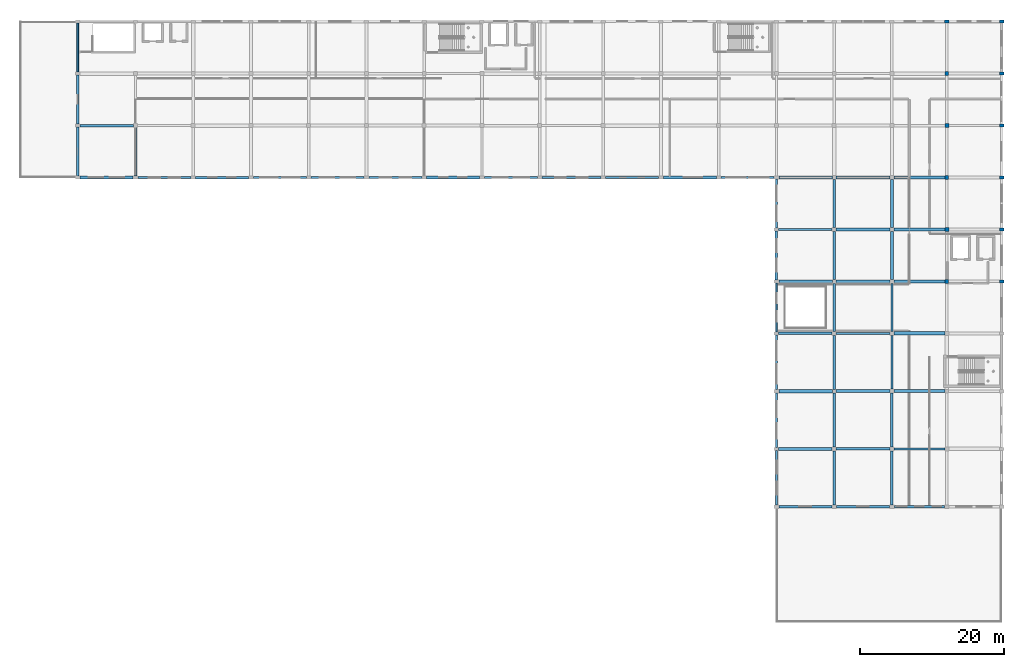
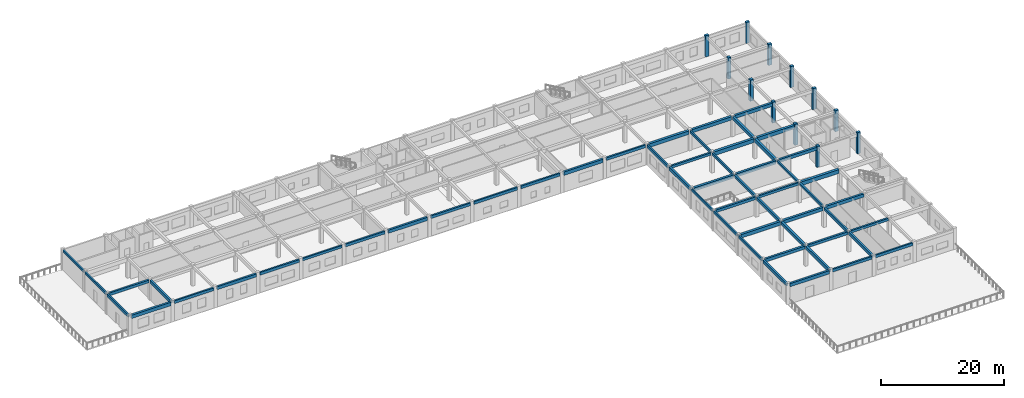
# One storey, part 6 of 19: 56 beams, 12 columns.
"""IFC4 building model written with IfcOpenShell, lengths in metres."""

from ifc_helpers import new_model, si_unit, direction, frame, origin, origin_2d, place, context, subcontext, project, spatial, rectangle, extrude, material, material_profile, profile_set, type_object, element, save


model = new_model("IFC4")

# Units and contexts
model_context = context("Model", 3, precision=1e-05, world=origin(), true_north=direction((0.0, 1.0)))
body_context = subcontext(model_context, "Body", "Model", "MODEL_VIEW")
ifc_project = project(units=[si_unit("LENGTHUNIT", "METRE"), si_unit("AREAUNIT", "SQUARE_METRE"), si_unit("VOLUMEUNIT", "CUBIC_METRE"), si_unit("PLANEANGLEUNIT", "RADIAN"), si_unit("MASSUNIT", "GRAM", prefix="KILO")], contexts=[model_context])

# Site, building, storey
site_placement = place(None, origin())
site = spatial("IfcSite", under=ifc_project, at=site_placement, CompositionType="ELEMENT")
building_placement = place(site_placement, origin())
building = spatial("IfcBuilding", under=site, at=building_placement, Name="Kharva Crest Polytechnic", CompositionType="ELEMENT")
storey_placement = place(building_placement, frame((0.0, 0.0, 21.60009765625)))
storey = spatial("IfcBuildingStorey", under=building, at=storey_placement, Name="L05", CompositionType="ELEMENT", Elevation=21.60009765625)

# Columns
ifc_material_1 = material(Name="Concrete C40/50", Category="concrete")
ifc_material_profile_1 = material_profile(ifc_material_1, rectangle(XDim=0.6201171875, YDim=0.449951171875, at=origin_2d()), Name="RECT 620 X 450")
ifc_profile_set_1 = profile_set([ifc_material_profile_1], Name="Concrete C40/50")
column_type_1 = type_object("IfcColumnType", Name="COL-EXT-620X450", PredefinedType="COLUMN", material=ifc_profile_set_1)
for number, where, z_axis, x_axis, name in (
    (1, (184.0, 93.199951171875, 0.0), (0.0, 0.0, 1.0), (1.0, 0.0, 0.0), "L05 Column 24/N"),
    (2, (184.0, 107.60009765625, 0.0), (0.0, 0.0, 1.0), (1.0, 0.0, 0.0), "L05 Column 24/Q"),
    (3, (184.0, 122.0, 0.0), (0.0, 0.0, 1.0), (1.0, 0.0, 0.0), "L05 Column 24/S"),
):
    element("IfcColumn", number, at=place(storey_placement, frame(where, z_axis=z_axis, x_axis=x_axis)), inside=storey, type_object=column_type_1, Name=name, PredefinedType="COLUMN", context=body_context, shape_type="SweptSolid", body=[
        extrude(rectangle(XDim=0.6201171875, YDim=0.449951171875, at=origin_2d()), origin(), (0.0, 0.0, 1.0), 4.199951171875),
    ])
ifc_material_profile_2 = material_profile(ifc_material_1, rectangle(XDim=0.64990234375, YDim=0.449951171875, at=origin_2d()), Name="RECT 650 X 450")
ifc_profile_set_2 = profile_set([ifc_material_profile_2], Name="Concrete C40/50")
column_type_2 = type_object("IfcColumnType", Name="COL-EXT-650X450", PredefinedType="COLUMN", material=ifc_profile_set_2)
for number, where, z_axis, x_axis, name in (
    (4, (176.39990234375, 122.0, 0.0), (0.0, 0.0, 1.0), (1.0, 0.0, 0.0), "L05 Column 23/S"),
    (5, (184.0, 86.0, 0.0), (0.0, 0.0, 1.0), (1.0, 0.0, 0.0), "L05 Column 24/M"),
    (6, (184.0, 100.39990234375, 0.0), (0.0, 0.0, 1.0), (1.0, 0.0, 0.0), "L05 Column 24/P"),
    (7, (184.0, 114.800048828125, 0.0), (0.0, 0.0, 1.0), (1.0, 0.0, 0.0), "L05 Column 24/R"),
):
    element("IfcColumn", number, at=place(storey_placement, frame(where, z_axis=z_axis, x_axis=x_axis)), inside=storey, type_object=column_type_2, Name=name, PredefinedType="COLUMN", context=body_context, shape_type="SweptSolid", body=[
        extrude(rectangle(XDim=0.64990234375, YDim=0.449951171875, at=origin_2d()), origin(), (0.0, 0.0, 1.0), 4.199951171875),
    ])
ifc_material_profile_3 = material_profile(ifc_material_1, rectangle(XDim=0.52001953125, YDim=0.52001953125, at=origin_2d()), Name="RECT 520 X 520")
ifc_profile_set_3 = profile_set([ifc_material_profile_3], Name="Concrete C40/50")
column_type_3 = type_object("IfcColumnType", Name="COL-INT-520X520", PredefinedType="COLUMN", material=ifc_profile_set_3)
for number, where, z_axis, x_axis, name in (
    (8, (176.39990234375, 86.0, 0.0), (0.0, 0.0, 1.0), (1.0, 0.0, 0.0), "L05 Column 23/M"),
    (9, (176.39990234375, 100.39990234375, 0.0), (0.0, 0.0, 1.0), (1.0, 0.0, 0.0), "L05 Column 23/P"),
    (10, (176.39990234375, 114.800048828125, 0.0), (0.0, 0.0, 1.0), (1.0, 0.0, 0.0), "L05 Column 23/R"),
):
    element("IfcColumn", number, at=place(storey_placement, frame(where, z_axis=z_axis, x_axis=x_axis)), inside=storey, type_object=column_type_3, Name=name, PredefinedType="COLUMN", context=body_context, shape_type="SweptSolid", body=[
        extrude(rectangle(XDim=0.52001953125, YDim=0.52001953125, at=origin_2d()), origin(), (0.0, 0.0, 1.0), 4.199951171875),
    ])
ifc_material_profile_4 = material_profile(ifc_material_1, rectangle(XDim=0.550048828125, YDim=0.550048828125, at=origin_2d()), Name="RECT 550 X 550")
ifc_profile_set_4 = profile_set([ifc_material_profile_4], Name="Concrete C40/50")
column_type_4 = type_object("IfcColumnType", Name="COL-INT-550X550", PredefinedType="COLUMN", material=ifc_profile_set_4)
for number, where, z_axis, x_axis, name in (
    (11, (176.39990234375, 93.199951171875, 0.0), (0.0, 0.0, 1.0), (1.0, 0.0, 0.0), "L05 Column 23/N"),
    (12, (176.39990234375, 107.60009765625, 0.0), (0.0, 0.0, 1.0), (1.0, 0.0, 0.0), "L05 Column 23/Q"),
):
    element("IfcColumn", number, at=place(storey_placement, frame(where, z_axis=z_axis, x_axis=x_axis)), inside=storey, type_object=column_type_4, Name=name, PredefinedType="COLUMN", context=body_context, shape_type="SweptSolid", body=[
        extrude(rectangle(XDim=0.550048828125, YDim=0.550048828125, at=origin_2d()), origin(), (0.0, 0.0, 1.0), 4.199951171875),
    ])

# Beams
ifc_material_2 = material(Name="Concrete C35/45", Category="concrete")
ifc_material_profile_5 = material_profile(ifc_material_2, rectangle(XDim=0.300048828125, YDim=0.449951171875, at=origin_2d()), Name="RECT 300 X 450")
ifc_profile_set_5 = profile_set([ifc_material_profile_5], Name="Concrete C35/45")
beam_type_1 = type_object("IfcBeamType", Name="BM-RC-300X450", PredefinedType="BEAM", material=ifc_profile_set_5)
beam_1_placement = place(storey_placement, frame((160.800048828125, 93.47509765625, 3.7548828125), z_axis=(0.0, 1.0, 0.0), x_axis=(-1.0, 0.0, 0.0)))
element("IfcBeam", 13, at=beam_1_placement, inside=storey, type_object=beam_type_1, Name="L05 Girder 21/N-P", PredefinedType="BEAM", context=body_context, shape_type="SweptSolid", body=[
    extrude(rectangle(XDim=0.300048828125, YDim=0.449951171875, at=origin_2d()), origin(), (0.0, 0.0, 1.0), 6.664794921875),
])
beam_2_placement = place(storey_placement, frame((168.800048828125, 79.06005859375, 3.7548828125), z_axis=(0.0, 1.0, 0.0), x_axis=(-1.0, 0.0, 0.0)))
element("IfcBeam", 14, at=beam_2_placement, inside=storey, type_object=beam_type_1, Name="L05 Girder 22/L-M", PredefinedType="BEAM", context=body_context, shape_type="SweptSolid", body=[
    extrude(rectangle(XDim=0.300048828125, YDim=0.449951171875, at=origin_2d()), origin(), (0.0, 0.0, 1.0), 6.6650390625),
])
ifc_material_profile_6 = material_profile(ifc_material_2, rectangle(XDim=0.300048828125, YDim=0.47998046875, at=origin_2d()), Name="RECT 300 X 480")
ifc_profile_set_6 = profile_set([ifc_material_profile_6], Name="Concrete C35/45")
beam_type_2 = type_object("IfcBeamType", Name="BM-RC-300X480", PredefinedType="BEAM", material=ifc_profile_set_6)
beam_3_placement = place(storey_placement, frame((160.800048828125, 86.260009765625, 3.739990234375), z_axis=(0.0, 1.0, 0.0), x_axis=(-1.0, 0.0, 0.0)))
element("IfcBeam", 15, at=beam_3_placement, inside=storey, type_object=beam_type_2, Name="L05 Girder 21/M-N", PredefinedType="BEAM", context=body_context, shape_type="SweptSolid", body=[
    extrude(rectangle(XDim=0.300048828125, YDim=0.47998046875, at=origin_2d()), origin(), (0.0, 0.0, 1.0), 6.6650390625),
])
beam_4_placement = place(storey_placement, frame((168.800048828125, 71.074951171875, 3.739990234375), z_axis=(0.0, 1.0, 0.0), x_axis=(-1.0, 0.0, 0.0)))
element("IfcBeam", 16, at=beam_4_placement, inside=storey, type_object=beam_type_2, Name="L05 Girder 22/K-L", PredefinedType="BEAM", context=body_context, shape_type="SweptSolid", body=[
    extrude(rectangle(XDim=0.300048828125, YDim=0.47998046875, at=origin_2d()), origin(), (0.0, 0.0, 1.0), 7.465087890625),
])
ifc_material_profile_7 = material_profile(ifc_material_2, rectangle(XDim=0.320068359375, YDim=0.5, at=origin_2d()), Name="RECT 320 X 500")
ifc_profile_set_7 = profile_set([ifc_material_profile_7], Name="Concrete C35/45")
beam_type_3 = type_object("IfcBeamType", Name="BM-RC-320X500", PredefinedType="BEAM", material=ifc_profile_set_7)
beam_5_placement = place(storey_placement, frame((169.06005859375, 62.800048828125, 3.72998046875), z_axis=(1.0, 0.0, 0.0), x_axis=(0.0, 1.0, 0.0)))
element("IfcBeam", 17, at=beam_5_placement, inside=storey, type_object=beam_type_3, Name="L05 Beam J/22-23", PredefinedType="BEAM", context=body_context, shape_type="SweptSolid", body=[
    extrude(rectangle(XDim=0.320068359375, YDim=0.5, at=origin_2d()), origin(), (0.0, 0.0, 1.0), 7.06494140625),
])
beam_6_placement = place(storey_placement, frame((161.074951171875, 78.800048828125, 3.72998046875), z_axis=(1.0, 0.0, 0.0), x_axis=(0.0, 1.0, 0.0)))
element("IfcBeam", 18, at=beam_6_placement, inside=storey, type_object=beam_type_3, Name="L05 Beam L/21-22", PredefinedType="BEAM", context=body_context, shape_type="SweptSolid", body=[
    extrude(rectangle(XDim=0.320068359375, YDim=0.5, at=origin_2d()), origin(), (0.0, 0.0, 1.0), 7.465087890625),
])
beam_7_placement = place(storey_placement, frame((153.110107421875, 93.199951171875, 3.72998046875), z_axis=(1.0, 0.0, 0.0), x_axis=(0.0, 1.0, 0.0)))
element("IfcBeam", 19, at=beam_7_placement, inside=storey, type_object=beam_type_3, Name="L05 Beam N/20-21", PredefinedType="BEAM", context=body_context, shape_type="SweptSolid", body=[
    extrude(rectangle(XDim=0.320068359375, YDim=0.5, at=origin_2d()), origin(), (0.0, 0.0, 1.0), 7.414794921875),
])
ifc_material_profile_8 = material_profile(ifc_material_2, rectangle(XDim=0.340087890625, YDim=0.52001953125, at=origin_2d()), Name="RECT 340 X 520")
ifc_profile_set_8 = profile_set([ifc_material_profile_8], Name="Concrete C35/45")
beam_type_4 = type_object("IfcBeamType", Name="BM-RC-340X520", PredefinedType="BEAM", material=ifc_profile_set_8)
beam_8_placement = place(storey_placement, frame((160.800048828125, 79.074951171875, 3.719970703125), z_axis=(0.0, 1.0, 0.0), x_axis=(-1.0, 0.0, 0.0)))
element("IfcBeam", 20, at=beam_8_placement, inside=storey, type_object=beam_type_4, Name="L05 Girder 21/L-M", PredefinedType="BEAM", context=body_context, shape_type="SweptSolid", body=[
    extrude(rectangle(XDim=0.340087890625, YDim=0.52001953125, at=origin_2d()), origin(), (0.0, 0.0, 1.0), 6.6650390625),
])
beam_9_placement = place(storey_placement, frame((168.800048828125, 63.06005859375, 3.719970703125), z_axis=(0.0, 1.0, 0.0), x_axis=(-1.0, 0.0, 0.0)))
element("IfcBeam", 21, at=beam_9_placement, inside=storey, type_object=beam_type_4, Name="L05 Girder 22/J-K", PredefinedType="BEAM", context=body_context, shape_type="SweptSolid", body=[
    extrude(rectangle(XDim=0.340087890625, YDim=0.52001953125, at=origin_2d()), origin(), (0.0, 0.0, 1.0), 7.46484375),
])
ifc_material_profile_9 = material_profile(ifc_material_2, rectangle(XDim=0.35009765625, YDim=0.550048828125, at=origin_2d()), Name="RECT 350 X 550")
ifc_profile_set_9 = profile_set([ifc_material_profile_9], Name="Concrete C35/45")
beam_type_5 = type_object("IfcBeamType", Name="BM-RC-350X550", PredefinedType="BEAM", material=ifc_profile_set_9)
beam_10_placement = place(storey_placement, frame((161.074951171875, 62.800048828125, 3.704833984375), z_axis=(1.0, 0.0, 0.0), x_axis=(0.0, 1.0, 0.0)))
element("IfcBeam", 22, at=beam_10_placement, inside=storey, type_object=beam_type_5, Name="L05 Beam J/21-22", PredefinedType="BEAM", context=body_context, shape_type="SweptSolid", body=[
    extrude(rectangle(XDim=0.35009765625, YDim=0.550048828125, at=origin_2d()), origin(), (0.0, 0.0, 1.0), 7.465087890625),
])
beam_11_placement = place(storey_placement, frame((153.110107421875, 78.800048828125, 3.704833984375), z_axis=(1.0, 0.0, 0.0), x_axis=(0.0, 1.0, 0.0)))
element("IfcBeam", 23, at=beam_11_placement, inside=storey, type_object=beam_type_5, Name="L05 Beam L/20-21", PredefinedType="BEAM", context=body_context, shape_type="SweptSolid", body=[
    extrude(rectangle(XDim=0.35009765625, YDim=0.550048828125, at=origin_2d()), origin(), (0.0, 0.0, 1.0), 7.414794921875),
])
beam_12_placement = place(storey_placement, frame((56.324951171875, 107.60009765625, 3.704833984375), z_axis=(1.0, 0.0, 0.0), x_axis=(0.0, 1.0, 0.0)))
element("IfcBeam", 24, at=beam_12_placement, inside=storey, type_object=beam_type_5, Name="L05 Beam Q/8-9", PredefinedType="BEAM", context=body_context, shape_type="SweptSolid", body=[
    extrude(rectangle(XDim=0.35009765625, YDim=0.550048828125, at=origin_2d()), origin(), (0.0, 0.0, 1.0), 7.4150390625),
])
ifc_material_profile_10 = material_profile(ifc_material_2, rectangle(XDim=0.360107421875, YDim=0.580078125, at=origin_2d()), Name="RECT 360 X 580")
ifc_profile_set_10 = profile_set([ifc_material_profile_10], Name="Concrete C35/45")
beam_type_6 = type_object("IfcBeamType", Name="BM-RC-360X580", PredefinedType="BEAM", material=ifc_profile_set_10)
beam_13_placement = place(storey_placement, frame((64.0, 100.625, 3.68994140625), z_axis=(0.0, 1.0, 0.0), x_axis=(-1.0, 0.0, 0.0)))
element("IfcBeam", 25, at=beam_13_placement, inside=storey, type_object=beam_type_6, Name="L05 Girder 9/P-Q", PredefinedType="BEAM", context=body_context, shape_type="SweptSolid", body=[
    extrude(rectangle(XDim=0.360107421875, YDim=0.580078125, at=origin_2d()), origin(), (0.0, 0.0, 1.0), 6.715087890625),
])
beam_14_placement = place(storey_placement, frame((160.800048828125, 71.06005859375, 3.68994140625), z_axis=(0.0, 1.0, 0.0), x_axis=(-1.0, 0.0, 0.0)))
element("IfcBeam", 26, at=beam_14_placement, inside=storey, type_object=beam_type_6, Name="L05 Girder 21/K-L", PredefinedType="BEAM", context=body_context, shape_type="SweptSolid", body=[
    extrude(rectangle(XDim=0.360107421875, YDim=0.580078125, at=origin_2d()), origin(), (0.0, 0.0, 1.0), 7.46484375),
])
beam_15_placement = place(storey_placement, frame((168.800048828125, 55.02490234375, 3.68994140625), z_axis=(0.0, 1.0, 0.0), x_axis=(-1.0, 0.0, 0.0)))
element("IfcBeam", 27, at=beam_15_placement, inside=storey, type_object=beam_type_6, Name="L05 Girder 22/H-J", PredefinedType="BEAM", context=body_context, shape_type="SweptSolid", body=[
    extrude(rectangle(XDim=0.360107421875, YDim=0.580078125, at=origin_2d()), origin(), (0.0, 0.0, 1.0), 7.51513671875),
])
ifc_material_profile_11 = material_profile(ifc_material_2, rectangle(XDim=0.3798828125, YDim=0.60009765625, at=origin_2d()), Name="RECT 380 X 600")
ifc_profile_set_11 = profile_set([ifc_material_profile_11], Name="Concrete C35/45")
beam_type_7 = type_object("IfcBeamType", Name="BM-RC-380X600", PredefinedType="BEAM", material=ifc_profile_set_11)
beam_16_placement = place(storey_placement, frame((153.110107421875, 62.800048828125, 3.679931640625), z_axis=(1.0, 0.0, 0.0), x_axis=(0.0, 1.0, 0.0)))
element("IfcBeam", 28, at=beam_16_placement, inside=storey, type_object=beam_type_7, Name="L05 Beam J/20-21", PredefinedType="BEAM", context=body_context, shape_type="SweptSolid", body=[
    extrude(rectangle(XDim=0.3798828125, YDim=0.60009765625, at=origin_2d()), origin(), (0.0, 0.0, 1.0), 7.414794921875),
])
beam_17_placement = place(storey_placement, frame((169.074951171875, 86.0, 3.679931640625), z_axis=(1.0, 0.0, 0.0), x_axis=(0.0, 1.0, 0.0)))
element("IfcBeam", 29, at=beam_17_placement, inside=storey, type_object=beam_type_7, Name="L05 Beam M/22-23", PredefinedType="BEAM", context=body_context, shape_type="SweptSolid", body=[
    extrude(rectangle(XDim=0.3798828125, YDim=0.60009765625, at=origin_2d()), origin(), (0.0, 0.0, 1.0), 7.06494140625),
])
ifc_material_profile_12 = material_profile(ifc_material_2, rectangle(XDim=0.39990234375, YDim=0.580078125, at=origin_2d()), Name="RECT 400 X 580")
ifc_profile_set_12 = profile_set([ifc_material_profile_12], Name="Concrete C35/45")
beam_type_8 = type_object("IfcBeamType", Name="BM-RC-400X580", PredefinedType="BEAM", material=ifc_profile_set_12)
beam_18_placement = place(storey_placement, frame((160.800048828125, 63.074951171875, 3.68994140625), z_axis=(0.0, 1.0, 0.0), x_axis=(-1.0, 0.0, 0.0)))
element("IfcBeam", 30, at=beam_18_placement, inside=storey, type_object=beam_type_8, Name="L05 Girder 21/J-K", PredefinedType="BEAM", context=body_context, shape_type="SweptSolid", body=[
    extrude(rectangle(XDim=0.39990234375, YDim=0.580078125, at=origin_2d()), origin(), (0.0, 0.0, 1.0), 7.465087890625),
])
ifc_material_profile_13 = material_profile(ifc_material_2, rectangle(XDim=0.39990234375, YDim=0.6201171875, at=origin_2d()), Name="RECT 400 X 620")
ifc_profile_set_13 = profile_set([ifc_material_profile_13], Name="Concrete C35/45")
beam_type_9 = type_object("IfcBeamType", Name="BM-RC-400X620", PredefinedType="BEAM", material=ifc_profile_set_13)
beam_19_placement = place(storey_placement, frame((160.800048828125, 55.02490234375, 3.669921875), z_axis=(0.0, 1.0, 0.0), x_axis=(-1.0, 0.0, 0.0)))
element("IfcBeam", 31, at=beam_19_placement, inside=storey, type_object=beam_type_9, Name="L05 Girder 21/H-J", PredefinedType="BEAM", context=body_context, shape_type="SweptSolid", body=[
    extrude(rectangle(XDim=0.39990234375, YDim=0.6201171875, at=origin_2d()), origin(), (0.0, 0.0, 1.0), 7.5),
])
beam_20_placement = place(storey_placement, frame((168.800048828125, 93.4599609375, 3.669921875), z_axis=(0.0, 1.0, 0.0), x_axis=(-1.0, 0.0, 0.0)))
element("IfcBeam", 32, at=beam_20_placement, inside=storey, type_object=beam_type_9, Name="L05 Girder 22/N-P", PredefinedType="BEAM", context=body_context, shape_type="SweptSolid", body=[
    extrude(rectangle(XDim=0.39990234375, YDim=0.6201171875, at=origin_2d()), origin(), (0.0, 0.0, 1.0), 6.6650390625),
])
ifc_material_profile_14 = material_profile(ifc_material_2, rectangle(XDim=0.39990234375, YDim=0.64990234375, at=origin_2d()), Name="RECT 400 X 650")
ifc_profile_set_14 = profile_set([ifc_material_profile_14], Name="Concrete C35/45")
beam_type_10 = type_object("IfcBeamType", Name="BM-RC-400X650", PredefinedType="BEAM", material=ifc_profile_set_14)
beam_21_placement = place(storey_placement, frame((169.074951171875, 70.800048828125, 3.65478515625), z_axis=(1.0, 0.0, 0.0), x_axis=(0.0, 1.0, 0.0)))
element("IfcBeam", 33, at=beam_21_placement, inside=storey, type_object=beam_type_10, Name="L05 Beam K/22-23", PredefinedType="BEAM", context=body_context, shape_type="SweptSolid", body=[
    extrude(rectangle(XDim=0.39990234375, YDim=0.64990234375, at=origin_2d()), origin(), (0.0, 0.0, 1.0), 7.06494140625),
])
beam_22_placement = place(storey_placement, frame((161.06005859375, 86.0, 3.65478515625), z_axis=(1.0, 0.0, 0.0), x_axis=(0.0, 1.0, 0.0)))
element("IfcBeam", 34, at=beam_22_placement, inside=storey, type_object=beam_type_10, Name="L05 Beam M/21-22", PredefinedType="BEAM", context=body_context, shape_type="SweptSolid", body=[
    extrude(rectangle(XDim=0.39990234375, YDim=0.64990234375, at=origin_2d()), origin(), (0.0, 0.0, 1.0), 7.46484375),
])
beam_23_placement = place(storey_placement, frame((169.074951171875, 100.39990234375, 3.65478515625), z_axis=(1.0, 0.0, 0.0), x_axis=(0.0, 1.0, 0.0)))
element("IfcBeam", 35, at=beam_23_placement, inside=storey, type_object=beam_type_10, Name="L05 Beam P/22-23", PredefinedType="BEAM", context=body_context, shape_type="SweptSolid", body=[
    extrude(rectangle(XDim=0.39990234375, YDim=0.64990234375, at=origin_2d()), origin(), (0.0, 0.0, 1.0), 7.06494140625),
])
ifc_material_profile_15 = material_profile(ifc_material_2, rectangle(XDim=0.419921875, YDim=0.659912109375, at=origin_2d()), Name="RECT 420 X 660")
ifc_profile_set_15 = profile_set([ifc_material_profile_15], Name="Concrete C35/45")
beam_type_11 = type_object("IfcBeamType", Name="BM-RC-420X660", PredefinedType="BEAM", material=ifc_profile_set_15)
beam_24_placement = place(storey_placement, frame((161.06005859375, 70.800048828125, 3.64990234375), z_axis=(1.0, 0.0, 0.0), x_axis=(0.0, 1.0, 0.0)))
element("IfcBeam", 36, at=beam_24_placement, inside=storey, type_object=beam_type_11, Name="L05 Beam K/21-22", PredefinedType="BEAM", context=body_context, shape_type="SweptSolid", body=[
    extrude(rectangle(XDim=0.419921875, YDim=0.659912109375, at=origin_2d()), origin(), (0.0, 0.0, 1.0), 7.46484375),
])
beam_25_placement = place(storey_placement, frame((153.125, 86.0, 3.64990234375), z_axis=(1.0, 0.0, 0.0), x_axis=(0.0, 1.0, 0.0)))
element("IfcBeam", 37, at=beam_25_placement, inside=storey, type_object=beam_type_11, Name="L05 Beam M/20-21", PredefinedType="BEAM", context=body_context, shape_type="SweptSolid", body=[
    extrude(rectangle(XDim=0.419921875, YDim=0.659912109375, at=origin_2d()), origin(), (0.0, 0.0, 1.0), 7.4150390625),
])
beam_26_placement = place(storey_placement, frame((161.06005859375, 100.39990234375, 3.64990234375), z_axis=(1.0, 0.0, 0.0), x_axis=(0.0, 1.0, 0.0)))
element("IfcBeam", 38, at=beam_26_placement, inside=storey, type_object=beam_type_11, Name="L05 Beam P/21-22", PredefinedType="BEAM", context=body_context, shape_type="SweptSolid", body=[
    extrude(rectangle(XDim=0.419921875, YDim=0.659912109375, at=origin_2d()), origin(), (0.0, 0.0, 1.0), 7.46484375),
])
ifc_material_profile_16 = material_profile(ifc_material_2, rectangle(XDim=0.449951171875, YDim=0.679931640625, at=origin_2d()), Name="RECT 450 X 680")
ifc_profile_set_16 = profile_set([ifc_material_profile_16], Name="Concrete C35/45")
beam_type_12 = type_object("IfcBeamType", Name="BM-RC-450X680", PredefinedType="BEAM", material=ifc_profile_set_16)
beam_27_placement = place(storey_placement, frame((168.800048828125, 86.27490234375, 3.639892578125), z_axis=(0.0, 1.0, 0.0), x_axis=(-1.0, 0.0, 0.0)))
element("IfcBeam", 39, at=beam_27_placement, inside=storey, type_object=beam_type_12, Name="L05 Girder 22/M-N", PredefinedType="BEAM", context=body_context, shape_type="SweptSolid", body=[
    extrude(rectangle(XDim=0.449951171875, YDim=0.679931640625, at=origin_2d()), origin(), (0.0, 0.0, 1.0), 6.6650390625),
])
ifc_material_profile_17 = material_profile(ifc_material_2, rectangle(XDim=0.449951171875, YDim=0.719970703125, at=origin_2d()), Name="RECT 450 X 720")
ifc_profile_set_17 = profile_set([ifc_material_profile_17], Name="Concrete C35/45")
beam_type_13 = type_object("IfcBeamType", Name="BM-RC-450X720", PredefinedType="BEAM", material=ifc_profile_set_17)
beam_28_placement = place(storey_placement, frame((153.125, 70.800048828125, 3.619873046875), z_axis=(1.0, 0.0, 0.0), x_axis=(0.0, 1.0, 0.0)))
element("IfcBeam", 40, at=beam_28_placement, inside=storey, type_object=beam_type_13, Name="L05 Beam K/20-21", PredefinedType="BEAM", context=body_context, shape_type="SweptSolid", body=[
    extrude(rectangle(XDim=0.449951171875, YDim=0.719970703125, at=origin_2d()), origin(), (0.0, 0.0, 1.0), 7.4150390625),
])
beam_29_placement = place(storey_placement, frame((169.06005859375, 93.199951171875, 3.619873046875), z_axis=(1.0, 0.0, 0.0), x_axis=(0.0, 1.0, 0.0)))
element("IfcBeam", 41, at=beam_29_placement, inside=storey, type_object=beam_type_13, Name="L05 Beam N/22-23", PredefinedType="BEAM", context=body_context, shape_type="SweptSolid", body=[
    extrude(rectangle(XDim=0.449951171875, YDim=0.719970703125, at=origin_2d()), origin(), (0.0, 0.0, 1.0), 7.06494140625),
])
beam_30_placement = place(storey_placement, frame((153.125, 100.39990234375, 3.619873046875), z_axis=(1.0, 0.0, 0.0), x_axis=(0.0, 1.0, 0.0)))
element("IfcBeam", 42, at=beam_30_placement, inside=storey, type_object=beam_type_13, Name="L05 Beam P/20-21", PredefinedType="BEAM", context=body_context, shape_type="SweptSolid", body=[
    extrude(rectangle(XDim=0.449951171875, YDim=0.719970703125, at=origin_2d()), origin(), (0.0, 0.0, 1.0), 7.4150390625),
])
ifc_material_profile_18 = material_profile(ifc_material_2, rectangle(XDim=0.47998046875, YDim=0.75, at=origin_2d()), Name="RECT 480 X 750")
ifc_profile_set_18 = profile_set([ifc_material_profile_18], Name="Concrete C35/45")
beam_type_14 = type_object("IfcBeamType", Name="BM-RC-480X750", PredefinedType="BEAM", material=ifc_profile_set_18)
beam_31_placement = place(storey_placement, frame((169.06005859375, 78.800048828125, 3.60498046875), z_axis=(1.0, 0.0, 0.0), x_axis=(0.0, 1.0, 0.0)))
element("IfcBeam", 43, at=beam_31_placement, inside=storey, type_object=beam_type_14, Name="L05 Beam L/22-23", PredefinedType="BEAM", context=body_context, shape_type="SweptSolid", body=[
    extrude(rectangle(XDim=0.47998046875, YDim=0.75, at=origin_2d()), origin(), (0.0, 0.0, 1.0), 7.06494140625),
])
beam_32_placement = place(storey_placement, frame((161.074951171875, 93.199951171875, 3.60498046875), z_axis=(1.0, 0.0, 0.0), x_axis=(0.0, 1.0, 0.0)))
element("IfcBeam", 44, at=beam_32_placement, inside=storey, type_object=beam_type_14, Name="L05 Beam N/21-22", PredefinedType="BEAM", context=body_context, shape_type="SweptSolid", body=[
    extrude(rectangle(XDim=0.47998046875, YDim=0.75, at=origin_2d()), origin(), (0.0, 0.0, 1.0), 7.465087890625),
])
ifc_material_profile_19 = material_profile(ifc_material_2, rectangle(XDim=0.260009765625, YDim=0.43994140625, at=origin_2d()), Name="RECT 260 X 440")
ifc_profile_set_19 = profile_set([ifc_material_profile_19], Name="Concrete C35/45")
beam_type_15 = type_object("IfcBeamType", Name="SP-RC-260X440", PredefinedType="SPANDREL", material=ifc_profile_set_19)
for number, where, z_axis, x_axis, name in (
    (45, (56.0, 115.02490234375, 3.760009765625), (0.0, 1.0, 0.0), (-1.0, 0.0, 0.0), "L05 Girder 8/R-S"),
    (46, (152.800048828125, 79.02490234375, 3.760009765625), (0.0, 1.0, 0.0), (-1.0, 0.0, 0.0), "L05 Girder 20/L-M"),
):
    element("IfcBeam", number, at=place(storey_placement, frame(where, z_axis=z_axis, x_axis=x_axis)), inside=storey, type_object=beam_type_15, Name=name, PredefinedType="SPANDREL", context=body_context, shape_type="SweptSolid", body=[
        extrude(rectangle(XDim=0.260009765625, YDim=0.43994140625, at=origin_2d()), origin(), (0.0, 0.0, 1.0), 6.75),
    ])
ifc_material_profile_20 = material_profile(ifc_material_2, rectangle(XDim=0.280029296875, YDim=0.4599609375, at=origin_2d()), Name="RECT 280 X 460")
ifc_profile_set_20 = profile_set([ifc_material_profile_20], Name="Concrete C35/45")
beam_type_16 = type_object("IfcBeamType", Name="SP-RC-280X460", PredefinedType="SPANDREL", material=ifc_profile_set_20)
beam_33_placement = place(storey_placement, frame((56.0, 107.824951171875, 3.75), z_axis=(0.0, 1.0, 0.0), x_axis=(-1.0, 0.0, 0.0)))
element("IfcBeam", 47, at=beam_33_placement, inside=storey, type_object=beam_type_16, Name="L05 Girder 8/Q-R", PredefinedType="SPANDREL", context=body_context, shape_type="SweptSolid", body=[
    extrude(rectangle(XDim=0.280029296875, YDim=0.4599609375, at=origin_2d()), origin(), (0.0, 0.0, 1.0), 6.75),
])
beam_34_placement = place(storey_placement, frame((152.800048828125, 71.02490234375, 3.75), z_axis=(0.0, 1.0, 0.0), x_axis=(-1.0, 0.0, 0.0)))
element("IfcBeam", 48, at=beam_34_placement, inside=storey, type_object=beam_type_16, Name="L05 Girder 20/K-L", PredefinedType="SPANDREL", context=body_context, shape_type="SweptSolid", body=[
    extrude(rectangle(XDim=0.280029296875, YDim=0.4599609375, at=origin_2d()), origin(), (0.0, 0.0, 1.0), 7.550048828125),
])
ifc_material_profile_21 = material_profile(ifc_material_2, rectangle(XDim=0.280029296875, YDim=0.5, at=origin_2d()), Name="RECT 280 X 500")
ifc_profile_set_21 = profile_set([ifc_material_profile_21], Name="Concrete C35/45")
beam_type_17 = type_object("IfcBeamType", Name="SP-RC-280X500", PredefinedType="SPANDREL", material=ifc_profile_set_21)
beam_35_placement = place(storey_placement, frame((88.31005859375, 100.39990234375, 3.72998046875), z_axis=(1.0, 0.0, 0.0), x_axis=(0.0, 1.0, 0.0)))
element("IfcBeam", 49, at=beam_35_placement, inside=storey, type_object=beam_type_17, Name="L05 Beam P/12-13", PredefinedType="SPANDREL", context=body_context, shape_type="SweptSolid", body=[
    extrude(rectangle(XDim=0.280029296875, YDim=0.5, at=origin_2d()), origin(), (0.0, 0.0, 1.0), 7.364990234375),
])
ifc_material_profile_22 = material_profile(ifc_material_2, rectangle(XDim=0.300048828125, YDim=0.52001953125, at=origin_2d()), Name="RECT 300 X 520")
ifc_profile_set_22 = profile_set([ifc_material_profile_22], Name="Concrete C35/45")
beam_type_18 = type_object("IfcBeamType", Name="SP-RC-300X520", PredefinedType="SPANDREL", material=ifc_profile_set_22)
beam_36_placement = place(storey_placement, frame((56.0, 100.625, 3.719970703125), z_axis=(0.0, 1.0, 0.0), x_axis=(-1.0, 0.0, 0.0)))
element("IfcBeam", 50, at=beam_36_placement, inside=storey, type_object=beam_type_18, Name="L05 Girder 8/P-Q", PredefinedType="SPANDREL", context=body_context, shape_type="SweptSolid", body=[
    extrude(rectangle(XDim=0.300048828125, YDim=0.52001953125, at=origin_2d()), origin(), (0.0, 0.0, 1.0), 6.75),
])
beam_37_placement = place(storey_placement, frame((152.800048828125, 63.02490234375, 3.719970703125), z_axis=(0.0, 1.0, 0.0), x_axis=(-1.0, 0.0, 0.0)))
element("IfcBeam", 51, at=beam_37_placement, inside=storey, type_object=beam_type_18, Name="L05 Girder 20/J-K", PredefinedType="SPANDREL", context=body_context, shape_type="SweptSolid", body=[
    extrude(rectangle(XDim=0.300048828125, YDim=0.52001953125, at=origin_2d()), origin(), (0.0, 0.0, 1.0), 7.550048828125),
])
ifc_material_profile_23 = material_profile(ifc_material_2, rectangle(XDim=0.300048828125, YDim=0.550048828125, at=origin_2d()), Name="RECT 300 X 550")
ifc_profile_set_23 = profile_set([ifc_material_profile_23], Name="Concrete C35/45")
beam_type_19 = type_object("IfcBeamType", Name="SP-RC-300X550", PredefinedType="SPANDREL", material=ifc_profile_set_23)
beam_38_placement = place(storey_placement, frame((161.110107421875, 54.800048828125, 3.704833984375), z_axis=(1.0, 0.0, 0.0), x_axis=(0.0, 1.0, 0.0)))
element("IfcBeam", 52, at=beam_38_placement, inside=storey, type_object=beam_type_19, Name="L05 Beam H/21-22", PredefinedType="SPANDREL", context=body_context, shape_type="SweptSolid", body=[
    extrude(rectangle(XDim=0.300048828125, YDim=0.550048828125, at=origin_2d()), origin(), (0.0, 0.0, 1.0), 7.364990234375),
])
beam_39_placement = place(storey_placement, frame((169.125, 54.800048828125, 3.704833984375), z_axis=(1.0, 0.0, 0.0), x_axis=(0.0, 1.0, 0.0)))
element("IfcBeam", 53, at=beam_39_placement, inside=storey, type_object=beam_type_19, Name="L05 Beam H/22-23", PredefinedType="SPANDREL", context=body_context, shape_type="SweptSolid", body=[
    extrude(rectangle(XDim=0.300048828125, YDim=0.550048828125, at=origin_2d()), origin(), (0.0, 0.0, 1.0), 6.965087890625),
])
for number, where, z_axis, x_axis, name in (
    (54, (64.324951171875, 100.39990234375, 3.704833984375), (1.0, 0.0, 0.0), (0.0, 1.0, 0.0), "L05 Beam P/9-10"),
    (55, (80.324951171875, 100.39990234375, 3.704833984375), (1.0, 0.0, 0.0), (0.0, 1.0, 0.0), "L05 Beam P/11-12"),
    (56, (96.324951171875, 100.39990234375, 3.704833984375), (1.0, 0.0, 0.0), (0.0, 1.0, 0.0), "L05 Beam P/13-14"),
    (57, (112.324951171875, 100.39990234375, 3.704833984375), (1.0, 0.0, 0.0), (0.0, 1.0, 0.0), "L05 Beam P/15-16"),
):
    element("IfcBeam", number, at=place(storey_placement, frame(where, z_axis=z_axis, x_axis=x_axis)), inside=storey, type_object=beam_type_19, Name=name, PredefinedType="SPANDREL", context=body_context, shape_type="SweptSolid", body=[
        extrude(rectangle(XDim=0.300048828125, YDim=0.550048828125, at=origin_2d()), origin(), (0.0, 0.0, 1.0), 7.364990234375),
    ])
beam_40_placement = place(storey_placement, frame((120.31005859375, 100.39990234375, 3.704833984375), z_axis=(1.0, 0.0, 0.0), x_axis=(0.0, 1.0, 0.0)))
element("IfcBeam", 58, at=beam_40_placement, inside=storey, type_object=beam_type_19, Name="L05 Beam P/16-17", PredefinedType="SPANDREL", context=body_context, shape_type="SweptSolid", body=[
    extrude(rectangle(XDim=0.300048828125, YDim=0.550048828125, at=origin_2d()), origin(), (0.0, 0.0, 1.0), 8.179931640625),
])
for number, where, z_axis, x_axis, name in (
    (59, (129.110107421875, 100.39990234375, 3.704833984375), (1.0, 0.0, 0.0), (0.0, 1.0, 0.0), "L05 Beam P/17-18"),
    (60, (145.110107421875, 100.39990234375, 3.704833984375), (1.0, 0.0, 0.0), (0.0, 1.0, 0.0), "L05 Beam P/19-20"),
):
    element("IfcBeam", number, at=place(storey_placement, frame(where, z_axis=z_axis, x_axis=x_axis)), inside=storey, type_object=beam_type_19, Name=name, PredefinedType="SPANDREL", context=body_context, shape_type="SweptSolid", body=[
        extrude(rectangle(XDim=0.300048828125, YDim=0.550048828125, at=origin_2d()), origin(), (0.0, 0.0, 1.0), 7.364990234375),
    ])
ifc_material_profile_24 = material_profile(ifc_material_2, rectangle(XDim=0.320068359375, YDim=0.580078125, at=origin_2d()), Name="RECT 320 X 580")
ifc_profile_set_24 = profile_set([ifc_material_profile_24], Name="Concrete C35/45")
beam_type_20 = type_object("IfcBeamType", Name="SP-RC-320X580", PredefinedType="SPANDREL", material=ifc_profile_set_24)
beam_41_placement = place(storey_placement, frame((152.800048828125, 55.02490234375, 3.68994140625), z_axis=(0.0, 1.0, 0.0), x_axis=(-1.0, 0.0, 0.0)))
element("IfcBeam", 61, at=beam_41_placement, inside=storey, type_object=beam_type_20, Name="L05 Girder 20/H-J", PredefinedType="SPANDREL", context=body_context, shape_type="SweptSolid", body=[
    extrude(rectangle(XDim=0.320068359375, YDim=0.580078125, at=origin_2d()), origin(), (0.0, 0.0, 1.0), 7.550048828125),
])
beam_42_placement = place(storey_placement, frame((152.800048828125, 93.425048828125, 3.68994140625), z_axis=(0.0, 1.0, 0.0), x_axis=(-1.0, 0.0, 0.0)))
element("IfcBeam", 62, at=beam_42_placement, inside=storey, type_object=beam_type_20, Name="L05 Girder 20/N-P", PredefinedType="SPANDREL", context=body_context, shape_type="SweptSolid", body=[
    extrude(rectangle(XDim=0.320068359375, YDim=0.580078125, at=origin_2d()), origin(), (0.0, 0.0, 1.0), 6.75),
])
ifc_material_profile_25 = material_profile(ifc_material_2, rectangle(XDim=0.340087890625, YDim=0.60009765625, at=origin_2d()), Name="RECT 340 X 600")
ifc_profile_set_25 = profile_set([ifc_material_profile_25], Name="Concrete C35/45")
beam_type_21 = type_object("IfcBeamType", Name="SP-RC-340X600", PredefinedType="SPANDREL", material=ifc_profile_set_25)
beam_43_placement = place(storey_placement, frame((72.31005859375, 100.39990234375, 3.679931640625), z_axis=(1.0, 0.0, 0.0), x_axis=(0.0, 1.0, 0.0)))
element("IfcBeam", 63, at=beam_43_placement, inside=storey, type_object=beam_type_21, Name="L05 Beam P/10-11", PredefinedType="SPANDREL", context=body_context, shape_type="SweptSolid", body=[
    extrude(rectangle(XDim=0.340087890625, YDim=0.60009765625, at=origin_2d()), origin(), (0.0, 0.0, 1.0), 7.364990234375),
])
ifc_material_profile_26 = material_profile(ifc_material_2, rectangle(XDim=0.35009765625, YDim=0.6201171875, at=origin_2d()), Name="RECT 350 X 620")
ifc_profile_set_26 = profile_set([ifc_material_profile_26], Name="Concrete C35/45")
beam_type_22 = type_object("IfcBeamType", Name="SP-RC-350X620", PredefinedType="SPANDREL", material=ifc_profile_set_26)
beam_44_placement = place(storey_placement, frame((152.800048828125, 86.22509765625, 3.669921875), z_axis=(0.0, 1.0, 0.0), x_axis=(-1.0, 0.0, 0.0)))
element("IfcBeam", 64, at=beam_44_placement, inside=storey, type_object=beam_type_22, Name="L05 Girder 20/M-N", PredefinedType="SPANDREL", context=body_context, shape_type="SweptSolid", body=[
    extrude(rectangle(XDim=0.35009765625, YDim=0.6201171875, at=origin_2d()), origin(), (0.0, 0.0, 1.0), 6.75),
])
ifc_material_profile_27 = material_profile(ifc_material_2, rectangle(XDim=0.360107421875, YDim=0.64990234375, at=origin_2d()), Name="RECT 360 X 650")
ifc_profile_set_27 = profile_set([ifc_material_profile_27], Name="Concrete C35/45")
beam_type_23 = type_object("IfcBeamType", Name="SP-RC-360X650", PredefinedType="SPANDREL", material=ifc_profile_set_27)
for number, where, z_axis, x_axis, name in (
    (65, (153.125, 54.800048828125, 3.65478515625), (1.0, 0.0, 0.0), (0.0, 1.0, 0.0), "L05 Beam H/20-21"),
    (66, (104.31005859375, 100.39990234375, 3.65478515625), (1.0, 0.0, 0.0), (0.0, 1.0, 0.0), "L05 Beam P/14-15"),
):
    element("IfcBeam", number, at=place(storey_placement, frame(where, z_axis=z_axis, x_axis=x_axis)), inside=storey, type_object=beam_type_23, Name=name, PredefinedType="SPANDREL", context=body_context, shape_type="SweptSolid", body=[
        extrude(rectangle(XDim=0.360107421875, YDim=0.64990234375, at=origin_2d()), origin(), (0.0, 0.0, 1.0), 7.364990234375),
    ])
ifc_material_profile_28 = material_profile(ifc_material_2, rectangle(XDim=0.3798828125, YDim=0.679931640625, at=origin_2d()), Name="RECT 380 X 680")
ifc_profile_set_28 = profile_set([ifc_material_profile_28], Name="Concrete C35/45")
beam_type_24 = type_object("IfcBeamType", Name="SP-RC-380X680", PredefinedType="SPANDREL", material=ifc_profile_set_28)
for number, where, z_axis, x_axis, name in (
    (67, (56.31005859375, 100.39990234375, 3.639892578125), (1.0, 0.0, 0.0), (0.0, 1.0, 0.0), "L05 Beam P/8-9"),
    (68, (137.125, 100.39990234375, 3.639892578125), (1.0, 0.0, 0.0), (0.0, 1.0, 0.0), "L05 Beam P/18-19"),
):
    element("IfcBeam", number, at=place(storey_placement, frame(where, z_axis=z_axis, x_axis=x_axis)), inside=storey, type_object=beam_type_24, Name=name, PredefinedType="SPANDREL", context=body_context, shape_type="SweptSolid", body=[
        extrude(rectangle(XDim=0.3798828125, YDim=0.679931640625, at=origin_2d()), origin(), (0.0, 0.0, 1.0), 7.364990234375),
    ])

save(model, "model.ifc")
